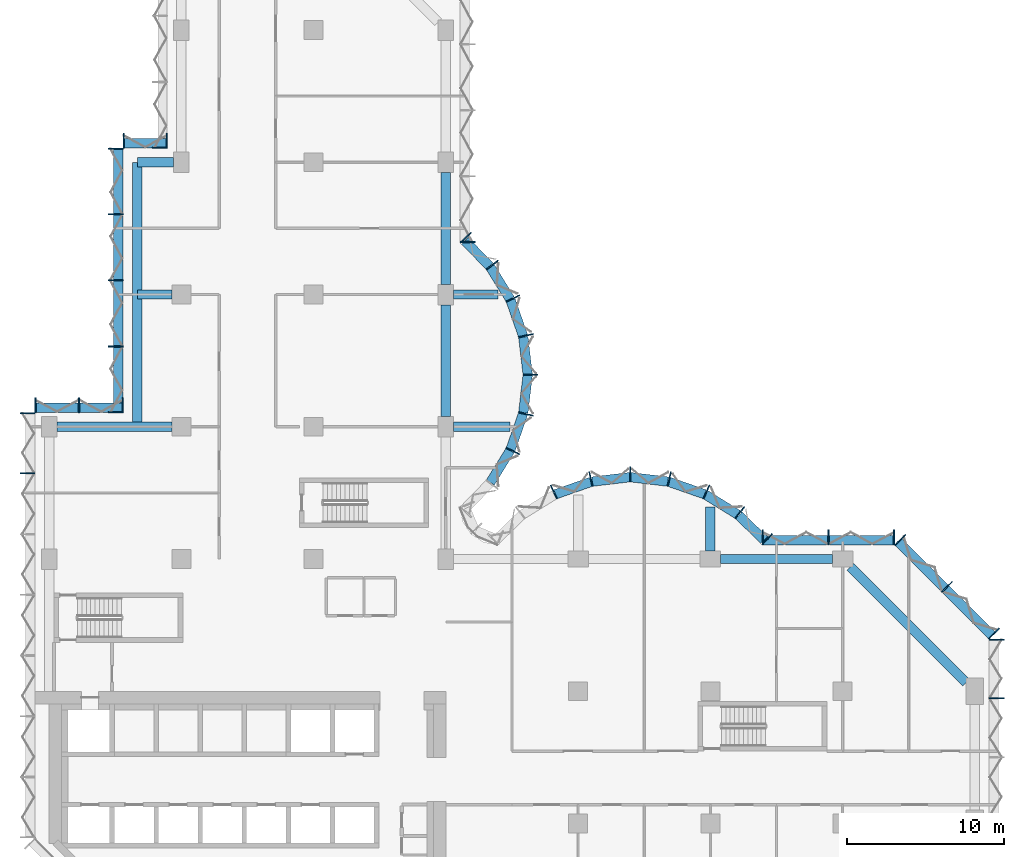
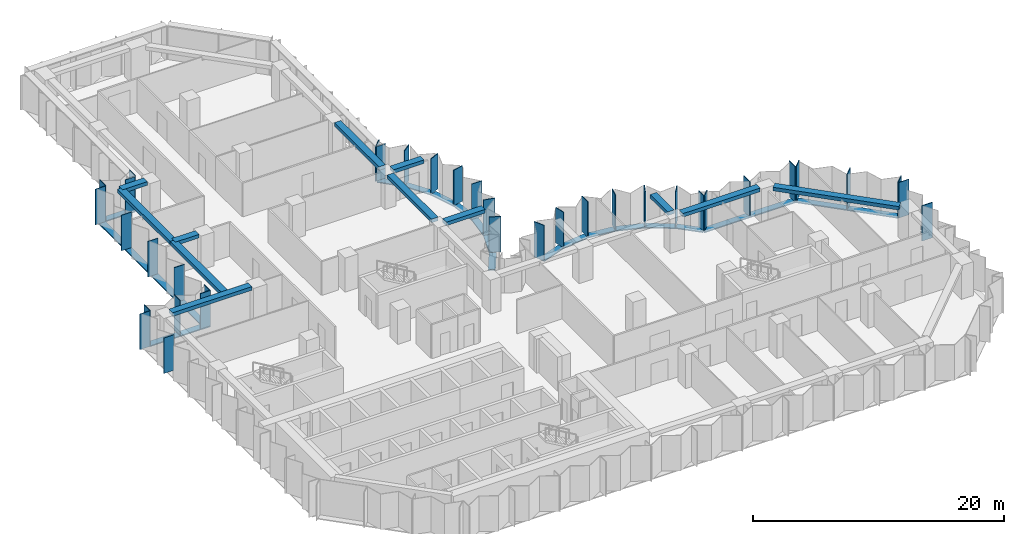
# One storey, part 2 of 11: 54 members, 12 beams, 11 elements without a shape of their own.
"""IFC4 building model written with IfcOpenShell, lengths in metres."""

from ifc_helpers import new_model, si_unit, direction, frame, origin, origin_2d, place, context, subcontext, project, spatial, rectangle, extrude, material, material_profile, profile_set, type_object, element, aggregate, save


model = new_model("IFC4")

# Units and contexts
model_context = context("Model", 3, precision=1e-05, world=origin(), true_north=direction((0.0, 1.0)))
body_context = subcontext(model_context, "Body", "Model", "MODEL_VIEW")
ifc_project = project(units=[si_unit("LENGTHUNIT", "METRE"), si_unit("AREAUNIT", "SQUARE_METRE"), si_unit("VOLUMEUNIT", "CUBIC_METRE"), si_unit("PLANEANGLEUNIT", "RADIAN"), si_unit("MASSUNIT", "GRAM", prefix="KILO")], contexts=[model_context])

# Site, building, storey
site_placement = place(None, origin())
site = spatial("IfcSite", under=ifc_project, at=site_placement, CompositionType="ELEMENT")
building_placement = place(site_placement, origin())
building = spatial("IfcBuilding", under=site, at=building_placement, Name="Brevane Broadcast Tower", CompositionType="ELEMENT")
storey_placement = place(building_placement, frame((0.0, 0.0, 152.89990234375)))
storey = spatial("IfcBuildingStorey", under=building, at=storey_placement, Name="L38", CompositionType="ELEMENT", Elevation=152.89990234375)

# Curtain wall, members
ifc_material_1 = material(Name="Aluminium 6063-T6 bronze anodised", Category="aluminium")
curtain_wall_type = type_object("IfcCurtainWallType", Name="CW-1 curtain wall", PredefinedType="NOTDEFINED", material=ifc_material_1)
curtain_wall_1_placement = place(storey_placement, origin())
curtain_wall_1 = element("IfcCurtainWall", 1, at=curtain_wall_1_placement, inside=storey, type_object=curtain_wall_type, Name="CW-1 typical tilted unit L38 east end", PredefinedType="NOTDEFINED")
ifc_material_profile_1 = material_profile(ifc_material_1, rectangle(XDim=0.949951171875, YDim=0.070068359375, at=origin_2d()), Name="RECT 70x950")
ifc_profile_set_1 = profile_set([ifc_material_profile_1], Name="Aluminium 6063-T6 bronze anodised")
member_type_1 = type_object("IfcMemberType", Name="CW-1 mullion 70x950", PredefinedType="MULLION", material=ifc_profile_set_1)
member_1_placement = place(storey_placement, frame((60.175048828125, 16.35009765625, -0.14990234375), z_axis=(0.0, 0.0, 1.0), x_axis=(-1.0, 0.0, 0.0)))
member_1 = element("IfcMember", 2, at=member_1_placement, type_object=member_type_1, Name="CW-1 mullion", PredefinedType="MULLION", context=body_context, shape_type="SweptSolid", body=[
    extrude(rectangle(XDim=0.949951171875, YDim=0.070068359375, at=origin_2d()), origin(), (0.0, 0.0, 1.0), 3.449951171875),
])
member_2_placement = place(storey_placement, frame((60.175048828125, 20.06494140625, -0.14990234375), z_axis=(0.0, 0.0, 1.0), x_axis=(-1.0, 0.0, 0.0)))
member_2 = element("IfcMember", 3, at=member_2_placement, type_object=member_type_1, Name="CW-1 mullion", PredefinedType="MULLION", context=body_context, shape_type="SweptSolid", body=[
    extrude(rectangle(XDim=0.949951171875, YDim=0.070068359375, at=origin_2d()), origin(), (0.0, 0.0, 1.0), 3.449951171875),
])
aggregate(curtain_wall_1, [member_1, member_2])

curtain_wall_2_placement = place(storey_placement, origin())
curtain_wall_2 = element("IfcCurtainWall", 4, at=curtain_wall_2_placement, inside=storey, type_object=curtain_wall_type, Name="CW-1 typical tilted unit L38 north-east chamfer", PredefinedType="NOTDEFINED")
member_3_placement = place(storey_placement, frame((60.01123046875, 20.460693359375, -0.14990234375), z_axis=(0.0, 0.0, 1.0), x_axis=(-0.707106781187, -0.707106781187, 0.0)))
member_3 = element("IfcMember", 5, at=member_3_placement, type_object=member_type_1, Name="CW-1 mullion", PredefinedType="MULLION", context=body_context, shape_type="SweptSolid", body=[
    extrude(rectangle(XDim=0.949951171875, YDim=0.070068359375, at=origin_2d()), origin(), (0.0, 0.0, 1.0), 3.449951171875),
])
member_4_placement = place(storey_placement, frame((57.035888671875, 23.435791015625, -0.14990234375), z_axis=(0.0, 0.0, 1.0), x_axis=(-0.707106781187, -0.707106781187, 0.0)))
member_4 = element("IfcMember", 6, at=member_4_placement, type_object=member_type_1, Name="CW-1 mullion", PredefinedType="MULLION", context=body_context, shape_type="SweptSolid", body=[
    extrude(rectangle(XDim=0.949951171875, YDim=0.070068359375, at=origin_2d()), origin(), (0.0, 0.0, 1.0), 3.449951171875),
])
member_5_placement = place(storey_placement, frame((54.060546875, 26.4111328125, -0.14990234375), z_axis=(0.0, 0.0, 1.0), x_axis=(-0.707106781187, -0.707106781187, 0.0)))
member_5 = element("IfcMember", 7, at=member_5_placement, type_object=member_type_1, Name="CW-1 mullion", PredefinedType="MULLION", context=body_context, shape_type="SweptSolid", body=[
    extrude(rectangle(XDim=0.949951171875, YDim=0.070068359375, at=origin_2d()), origin(), (0.0, 0.0, 1.0), 3.449951171875),
])

curtain_wall_3_placement = place(storey_placement, origin())
curtain_wall_3 = element("IfcCurtainWall", 8, at=curtain_wall_3_placement, inside=storey, type_object=curtain_wall_type, Name="CW-1 typical tilted unit L38 east arm north face", PredefinedType="NOTDEFINED")
member_6_placement = place(storey_placement, frame((53.6650390625, 26.574951171875, -0.14990234375), z_axis=(0.0, 0.0, 1.0), x_axis=(0.0, -1.0, 0.0)))
member_6 = element("IfcMember", 9, at=member_6_placement, type_object=member_type_1, Name="CW-1 mullion", PredefinedType="MULLION", context=body_context, shape_type="SweptSolid", body=[
    extrude(rectangle(XDim=0.949951171875, YDim=0.070068359375, at=origin_2d()), origin(), (0.0, 0.0, 1.0), 3.449951171875),
])
member_7_placement = place(storey_placement, frame((49.5, 26.574951171875, -0.14990234375), z_axis=(0.0, 0.0, 1.0), x_axis=(0.0, -1.0, 0.0)))
member_7 = element("IfcMember", 10, at=member_7_placement, type_object=member_type_1, Name="CW-1 mullion", PredefinedType="MULLION", context=body_context, shape_type="SweptSolid", body=[
    extrude(rectangle(XDim=0.949951171875, YDim=0.070068359375, at=origin_2d()), origin(), (0.0, 0.0, 1.0), 3.449951171875),
])
member_8_placement = place(storey_placement, frame((45.3349609375, 26.574951171875, -0.14990234375), z_axis=(0.0, 0.0, 1.0), x_axis=(0.0, -1.0, 0.0)))
member_8 = element("IfcMember", 11, at=member_8_placement, type_object=member_type_1, Name="CW-1 mullion", PredefinedType="MULLION", context=body_context, shape_type="SweptSolid", body=[
    extrude(rectangle(XDim=0.949951171875, YDim=0.070068359375, at=origin_2d()), origin(), (0.0, 0.0, 1.0), 3.449951171875),
])

curtain_wall_4_placement = place(storey_placement, origin())
curtain_wall_4 = element("IfcCurtainWall", 12, at=curtain_wall_4_placement, inside=storey, type_object=curtain_wall_type, Name="CW-1 typical tilted unit L38 east bow", PredefinedType="NOTDEFINED")
member_9_placement = place(storey_placement, frame((45.60595703125, 26.465087890625, -0.14990234375), z_axis=(0.0, 0.0, 1.0), x_axis=(-0.696811941702, -0.717253872699, 0.0)))
member_9 = element("IfcMember", 13, at=member_9_placement, type_object=member_type_1, Name="CW-1 mullion", PredefinedType="MULLION", context=body_context, shape_type="SweptSolid", body=[
    extrude(rectangle(XDim=0.949951171875, YDim=0.070068359375, at=origin_2d()), origin(), (0.0, 0.0, 1.0), 3.449951171875),
])
member_10_placement = place(storey_placement, frame((43.8720703125, 28.1455078125, -0.14990234375), z_axis=(0.0, 0.0, 1.0), x_axis=(-0.614769738617, -0.788706642853, 0.0)))
member_10 = element("IfcMember", 14, at=member_10_placement, type_object=member_type_1, Name="CW-1 mullion", PredefinedType="MULLION", context=body_context, shape_type="SweptSolid", body=[
    extrude(rectangle(XDim=0.949951171875, YDim=0.070068359375, at=origin_2d()), origin(), (0.0, 0.0, 1.0), 3.449951171875),
])
member_11_placement = place(storey_placement, frame((41.746826171875, 29.4580078125, -0.14990234375), z_axis=(0.0, 0.0, 1.0), x_axis=(-0.429933601163, -0.902860508933, 0.0)))
member_11 = element("IfcMember", 15, at=member_11_placement, type_object=member_type_1, Name="CW-1 mullion", PredefinedType="MULLION", context=body_context, shape_type="SweptSolid", body=[
    extrude(rectangle(XDim=0.949951171875, YDim=0.070068359375, at=origin_2d()), origin(), (0.0, 0.0, 1.0), 3.449951171875),
])
member_12_placement = place(storey_placement, frame((39.38818359375, 30.28076171875, -0.14990234375), z_axis=(0.0, 0.0, 1.0), x_axis=(-0.224806482215, -0.974403430594, 0.0)))
member_12 = element("IfcMember", 16, at=member_12_placement, type_object=member_type_1, Name="CW-1 mullion", PredefinedType="MULLION", context=body_context, shape_type="SweptSolid", body=[
    extrude(rectangle(XDim=0.949951171875, YDim=0.070068359375, at=origin_2d()), origin(), (0.0, 0.0, 1.0), 3.449951171875),
])
member_13_placement = place(storey_placement, frame((36.89990234375, 30.574951171875, -0.14990234375), z_axis=(0.0, 0.0, 1.0), x_axis=(0.0, -1.0, 0.0)))
member_13 = element("IfcMember", 17, at=member_13_placement, type_object=member_type_1, Name="CW-1 mullion", PredefinedType="MULLION", context=body_context, shape_type="SweptSolid", body=[
    extrude(rectangle(XDim=0.949951171875, YDim=0.070068359375, at=origin_2d()), origin(), (0.0, 0.0, 1.0), 3.449951171875),
])
member_14_placement = place(storey_placement, frame((34.411865234375, 30.28076171875, -0.14990234375), z_axis=(0.0, 0.0, 1.0), x_axis=(0.224806482215, -0.974403430594, 0.0)))
member_14 = element("IfcMember", 18, at=member_14_placement, type_object=member_type_1, Name="CW-1 mullion", PredefinedType="MULLION", context=body_context, shape_type="SweptSolid", body=[
    extrude(rectangle(XDim=0.949951171875, YDim=0.070068359375, at=origin_2d()), origin(), (0.0, 0.0, 1.0), 3.449951171875),
])
member_15_placement = place(storey_placement, frame((32.05322265625, 29.4580078125, -0.14990234375), z_axis=(0.0, 0.0, 1.0), x_axis=(0.429933601163, -0.902860508933, 0.0)))
member_15 = element("IfcMember", 19, at=member_15_placement, type_object=member_type_1, Name="CW-1 mullion", PredefinedType="MULLION", context=body_context, shape_type="SweptSolid", body=[
    extrude(rectangle(XDim=0.949951171875, YDim=0.070068359375, at=origin_2d()), origin(), (0.0, 0.0, 1.0), 3.449951171875),
])

curtain_wall_5_placement = place(storey_placement, origin())
curtain_wall_5 = element("IfcCurtainWall", 20, at=curtain_wall_5_placement, inside=storey, type_object=curtain_wall_type, Name="CW-1 typical tilted unit L38 north bow", PredefinedType="NOTDEFINED")
member_16_placement = place(storey_placement, frame((29.4580078125, 32.05322265625, -0.14990234375), z_axis=(0.0, 0.0, 1.0), x_axis=(-0.902860508933, 0.429933601163, 0.0)))
member_16 = element("IfcMember", 21, at=member_16_placement, type_object=member_type_1, Name="CW-1 mullion", PredefinedType="MULLION", context=body_context, shape_type="SweptSolid", body=[
    extrude(rectangle(XDim=0.949951171875, YDim=0.070068359375, at=origin_2d()), origin(), (0.0, 0.0, 1.0), 3.449951171875),
])
member_17_placement = place(storey_placement, frame((30.28076171875, 34.411865234375, -0.14990234375), z_axis=(0.0, 0.0, 1.0), x_axis=(-0.974403430594, 0.224806482215, 0.0)))
member_17 = element("IfcMember", 22, at=member_17_placement, type_object=member_type_1, Name="CW-1 mullion", PredefinedType="MULLION", context=body_context, shape_type="SweptSolid", body=[
    extrude(rectangle(XDim=0.949951171875, YDim=0.070068359375, at=origin_2d()), origin(), (0.0, 0.0, 1.0), 3.449951171875),
])
member_18_placement = place(storey_placement, frame((30.574951171875, 36.89990234375, -0.14990234375), z_axis=(0.0, 0.0, 1.0), x_axis=(-1.0, 0.0, 0.0)))
member_18 = element("IfcMember", 23, at=member_18_placement, type_object=member_type_1, Name="CW-1 mullion", PredefinedType="MULLION", context=body_context, shape_type="SweptSolid", body=[
    extrude(rectangle(XDim=0.949951171875, YDim=0.070068359375, at=origin_2d()), origin(), (0.0, 0.0, 1.0), 3.449951171875),
])
member_19_placement = place(storey_placement, frame((30.28076171875, 39.38818359375, -0.14990234375), z_axis=(0.0, 0.0, 1.0), x_axis=(-0.974403430594, -0.224806482215, 0.0)))
member_19 = element("IfcMember", 24, at=member_19_placement, type_object=member_type_1, Name="CW-1 mullion", PredefinedType="MULLION", context=body_context, shape_type="SweptSolid", body=[
    extrude(rectangle(XDim=0.949951171875, YDim=0.070068359375, at=origin_2d()), origin(), (0.0, 0.0, 1.0), 3.449951171875),
])
member_20_placement = place(storey_placement, frame((29.4580078125, 41.746826171875, -0.14990234375), z_axis=(0.0, 0.0, 1.0), x_axis=(-0.902860508933, -0.429933601163, 0.0)))
member_20 = element("IfcMember", 25, at=member_20_placement, type_object=member_type_1, Name="CW-1 mullion", PredefinedType="MULLION", context=body_context, shape_type="SweptSolid", body=[
    extrude(rectangle(XDim=0.949951171875, YDim=0.070068359375, at=origin_2d()), origin(), (0.0, 0.0, 1.0), 3.449951171875),
])
member_21_placement = place(storey_placement, frame((28.1455078125, 43.8720703125, -0.14990234375), z_axis=(0.0, 0.0, 1.0), x_axis=(-0.788706642853, -0.614769738617, 0.0)))
member_21 = element("IfcMember", 26, at=member_21_placement, type_object=member_type_1, Name="CW-1 mullion", PredefinedType="MULLION", context=body_context, shape_type="SweptSolid", body=[
    extrude(rectangle(XDim=0.949951171875, YDim=0.070068359375, at=origin_2d()), origin(), (0.0, 0.0, 1.0), 3.449951171875),
])
member_22_placement = place(storey_placement, frame((26.465087890625, 45.60595703125, -0.14990234375), z_axis=(0.0, 0.0, 1.0), x_axis=(-0.717253872699, -0.696811941702, 0.0)))
member_22 = element("IfcMember", 27, at=member_22_placement, type_object=member_type_1, Name="CW-1 mullion", PredefinedType="MULLION", context=body_context, shape_type="SweptSolid", body=[
    extrude(rectangle(XDim=0.949951171875, YDim=0.070068359375, at=origin_2d()), origin(), (0.0, 0.0, 1.0), 3.449951171875),
])

# Curtain wall, member
curtain_wall_6_placement = place(storey_placement, origin())
curtain_wall_6 = element("IfcCurtainWall", 28, at=curtain_wall_6_placement, inside=storey, type_object=curtain_wall_type, Name="CW-1 typical tilted unit L38 north arm east face", PredefinedType="NOTDEFINED")
member_23_placement = place(storey_placement, frame((26.574951171875, 45.3349609375, -0.14990234375), z_axis=(0.0, 0.0, 1.0), x_axis=(-1.0, 0.0, 0.0)))
member_23 = element("IfcMember", 29, at=member_23_placement, type_object=member_type_1, Name="CW-1 mullion", PredefinedType="MULLION", context=body_context, shape_type="SweptSolid", body=[
    extrude(rectangle(XDim=0.949951171875, YDim=0.070068359375, at=origin_2d()), origin(), (0.0, 0.0, 1.0), 3.35009765625),
])
aggregate(curtain_wall_6, [member_23])

curtain_wall_7_placement = place(storey_placement, origin())
curtain_wall_7 = element("IfcCurtainWall", 30, at=curtain_wall_7_placement, inside=storey, type_object=curtain_wall_type, Name="CW-1 typical tilted unit L38 north wing west face above the set-back", PredefinedType="NOTDEFINED")
member_24_placement = place(storey_placement, frame((7.02490234375, 51.3349609375, -0.14990234375), z_axis=(0.0, 0.0, 1.0), x_axis=(1.0, 0.0, 0.0)))
member_24 = element("IfcMember", 31, at=member_24_placement, type_object=member_type_1, Name="CW-1 mullion", PredefinedType="MULLION", context=body_context, shape_type="SweptSolid", body=[
    extrude(rectangle(XDim=0.949951171875, YDim=0.070068359375, at=origin_2d()), origin(), (0.0, 0.0, 1.0), 3.35009765625),
])
aggregate(curtain_wall_7, [member_24])

# Curtain wall, members
curtain_wall_8_placement = place(storey_placement, origin())
curtain_wall_8 = element("IfcCurtainWall", 32, at=curtain_wall_8_placement, inside=storey, type_object=curtain_wall_type, Name="CW-1 typical tilted unit L38 north wing west return", PredefinedType="NOTDEFINED")
member_25_placement = place(storey_placement, frame((7.465087890625, 51.77490234375, -0.14990234375), z_axis=(0.0, 0.0, 1.0), x_axis=(0.0, -1.0, 0.0)))
member_25 = element("IfcMember", 33, at=member_25_placement, type_object=member_type_1, Name="CW-1 mullion", PredefinedType="MULLION", context=body_context, shape_type="SweptSolid", body=[
    extrude(rectangle(XDim=0.949951171875, YDim=0.070068359375, at=origin_2d()), origin(), (0.0, 0.0, 1.0), 3.449951171875),
])
member_26_placement = place(storey_placement, frame((4.735107421875, 51.77490234375, -0.14990234375), z_axis=(0.0, 0.0, 1.0), x_axis=(0.0, -1.0, 0.0)))
member_26 = element("IfcMember", 34, at=member_26_placement, type_object=member_type_1, Name="CW-1 mullion", PredefinedType="MULLION", context=body_context, shape_type="SweptSolid", body=[
    extrude(rectangle(XDim=0.949951171875, YDim=0.070068359375, at=origin_2d()), origin(), (0.0, 0.0, 1.0), 3.449951171875),
])

curtain_wall_9_placement = place(storey_placement, origin())
curtain_wall_9 = element("IfcCurtainWall", 35, at=curtain_wall_9_placement, inside=storey, type_object=curtain_wall_type, Name="CW-1 typical tilted unit L38 north wing west face, lower block", PredefinedType="NOTDEFINED")
member_27_placement = place(storey_placement, frame((4.22509765625, 51.264892578125, -0.14990234375), z_axis=(0.0, 0.0, 1.0), x_axis=(1.0, 0.0, 0.0)))
member_27 = element("IfcMember", 36, at=member_27_placement, type_object=member_type_1, Name="CW-1 mullion", PredefinedType="MULLION", context=body_context, shape_type="SweptSolid", body=[
    extrude(rectangle(XDim=0.949951171875, YDim=0.070068359375, at=origin_2d()), origin(), (0.0, 0.0, 1.0), 3.449951171875),
])
member_28_placement = place(storey_placement, frame((4.22509765625, 47.10009765625, -0.14990234375), z_axis=(0.0, 0.0, 1.0), x_axis=(1.0, 0.0, 0.0)))
member_28 = element("IfcMember", 37, at=member_28_placement, type_object=member_type_1, Name="CW-1 mullion", PredefinedType="MULLION", context=body_context, shape_type="SweptSolid", body=[
    extrude(rectangle(XDim=0.949951171875, YDim=0.070068359375, at=origin_2d()), origin(), (0.0, 0.0, 1.0), 3.449951171875),
])
member_29_placement = place(storey_placement, frame((4.22509765625, 42.89990234375, -0.14990234375), z_axis=(0.0, 0.0, 1.0), x_axis=(1.0, 0.0, 0.0)))
member_29 = element("IfcMember", 38, at=member_29_placement, type_object=member_type_1, Name="CW-1 mullion", PredefinedType="MULLION", context=body_context, shape_type="SweptSolid", body=[
    extrude(rectangle(XDim=0.949951171875, YDim=0.070068359375, at=origin_2d()), origin(), (0.0, 0.0, 1.0), 3.449951171875),
])
member_30_placement = place(storey_placement, frame((4.22509765625, 38.699951171875, -0.14990234375), z_axis=(0.0, 0.0, 1.0), x_axis=(1.0, 0.0, 0.0)))
member_30 = element("IfcMember", 39, at=member_30_placement, type_object=member_type_1, Name="CW-1 mullion", PredefinedType="MULLION", context=body_context, shape_type="SweptSolid", body=[
    extrude(rectangle(XDim=0.949951171875, YDim=0.070068359375, at=origin_2d()), origin(), (0.0, 0.0, 1.0), 3.449951171875),
])
member_31_placement = place(storey_placement, frame((4.22509765625, 34.534912109375, -0.14990234375), z_axis=(0.0, 0.0, 1.0), x_axis=(1.0, 0.0, 0.0)))
member_31 = element("IfcMember", 40, at=member_31_placement, type_object=member_type_1, Name="CW-1 mullion", PredefinedType="MULLION", context=body_context, shape_type="SweptSolid", body=[
    extrude(rectangle(XDim=0.949951171875, YDim=0.070068359375, at=origin_2d()), origin(), (0.0, 0.0, 1.0), 3.449951171875),
])

curtain_wall_10_placement = place(storey_placement, origin())
curtain_wall_10 = element("IfcCurtainWall", 41, at=curtain_wall_10_placement, inside=storey, type_object=curtain_wall_type, Name="CW-1 typical tilted unit L38 north wing west return, lower block", PredefinedType="NOTDEFINED")
member_32_placement = place(storey_placement, frame((4.6650390625, 34.97509765625, -0.14990234375), z_axis=(0.0, 0.0, 1.0), x_axis=(0.0, -1.0, 0.0)))
member_32 = element("IfcMember", 42, at=member_32_placement, type_object=member_type_1, Name="CW-1 mullion", PredefinedType="MULLION", context=body_context, shape_type="SweptSolid", body=[
    extrude(rectangle(XDim=0.949951171875, YDim=0.070068359375, at=origin_2d()), origin(), (0.0, 0.0, 1.0), 3.449951171875),
])
member_33_placement = place(storey_placement, frame((1.89990234375, 34.97509765625, -0.14990234375), z_axis=(0.0, 0.0, 1.0), x_axis=(0.0, -1.0, 0.0)))
member_33 = element("IfcMember", 43, at=member_33_placement, type_object=member_type_1, Name="CW-1 mullion", PredefinedType="MULLION", context=body_context, shape_type="SweptSolid", body=[
    extrude(rectangle(XDim=0.949951171875, YDim=0.070068359375, at=origin_2d()), origin(), (0.0, 0.0, 1.0), 3.449951171875),
])
member_34_placement = place(storey_placement, frame((-0.864990234375, 34.97509765625, -0.14990234375), z_axis=(0.0, 0.0, 1.0), x_axis=(0.0, -1.0, 0.0)))
member_34 = element("IfcMember", 44, at=member_34_placement, type_object=member_type_1, Name="CW-1 mullion", PredefinedType="MULLION", context=body_context, shape_type="SweptSolid", body=[
    extrude(rectangle(XDim=0.949951171875, YDim=0.070068359375, at=origin_2d()), origin(), (0.0, 0.0, 1.0), 3.449951171875),
])

curtain_wall_11_placement = place(storey_placement, origin())
curtain_wall_11 = element("IfcCurtainWall", 45, at=curtain_wall_11_placement, inside=storey, type_object=curtain_wall_type, Name="CW-1 typical tilted unit L38 west face", PredefinedType="NOTDEFINED")
member_35_placement = place(storey_placement, frame((-1.375, 34.465087890625, -0.14990234375), z_axis=(0.0, 0.0, 1.0), x_axis=(1.0, 0.0, 0.0)))
member_35 = element("IfcMember", 46, at=member_35_placement, type_object=member_type_1, Name="CW-1 mullion", PredefinedType="MULLION", context=body_context, shape_type="SweptSolid", body=[
    extrude(rectangle(XDim=0.949951171875, YDim=0.070068359375, at=origin_2d()), origin(), (0.0, 0.0, 1.0), 3.449951171875),
])
member_36_placement = place(storey_placement, frame((-1.375, 30.642822265625, -0.14990234375), z_axis=(0.0, 0.0, 1.0), x_axis=(1.0, 0.0, 0.0)))
member_36 = element("IfcMember", 47, at=member_36_placement, type_object=member_type_1, Name="CW-1 mullion", PredefinedType="MULLION", context=body_context, shape_type="SweptSolid", body=[
    extrude(rectangle(XDim=0.949951171875, YDim=0.070068359375, at=origin_2d()), origin(), (0.0, 0.0, 1.0), 3.449951171875),
])
aggregate(curtain_wall_11, [member_35, member_36])

# Member
ifc_material_profile_2 = material_profile(ifc_material_1, rectangle(XDim=0.60009765625, YDim=0.10009765625, at=origin_2d()), Name="RECT 100x600")
ifc_profile_set_2 = profile_set([ifc_material_profile_2], Name="Aluminium 6063-T6 bronze anodised")
member_type_2 = type_object("IfcMemberType", Name="CW-1 transom 100x600", PredefinedType="USERDEFINED", material=ifc_profile_set_2)
member_37_placement = place(storey_placement, frame((59.912109375, 20.31201171875, -0.199951171875), z_axis=(-0.707106781187, 0.707106781187, 0.0), x_axis=(-0.707106781187, -0.707106781187, 0.0)))
member_37 = element("IfcMember", 48, at=member_37_placement, type_object=member_type_2, Name="CW-1 transom", ObjectType="TRANSOM", PredefinedType="USERDEFINED", context=body_context, shape_type="SweptSolid", body=[
    extrude(rectangle(XDim=0.60009765625, YDim=0.10009765625, at=origin_2d()), origin(), (0.0, 0.0, 1.0), 8.4853515625),
])

aggregate(curtain_wall_2, [member_3, member_4, member_5, member_37])

member_38_placement = place(storey_placement, frame((53.699951171875, 26.39990234375, -0.199951171875), z_axis=(-1.0, 0.0, 0.0), x_axis=(0.0, -1.0, 0.0)))
member_38 = element("IfcMember", 49, at=member_38_placement, type_object=member_type_2, Name="CW-1 transom", ObjectType="TRANSOM", PredefinedType="USERDEFINED", context=body_context, shape_type="SweptSolid", body=[
    extrude(rectangle(XDim=0.60009765625, YDim=0.10009765625, at=origin_2d()), origin(), (0.0, 0.0, 1.0), 8.39990234375),
])

aggregate(curtain_wall_3, [member_6, member_7, member_8, member_38])

member_39_placement = place(storey_placement, frame((45.412841796875, 26.407958984375, -0.199951171875), z_axis=(-0.71724215871, 0.696823999134, 0.0), x_axis=(-0.696823999134, -0.71724215871, 0.0)))
member_39 = element("IfcMember", 50, at=member_39_placement, type_object=member_type_2, Name="CW-1 transom", ObjectType="TRANSOM", PredefinedType="USERDEFINED", context=body_context, shape_type="SweptSolid", body=[
    extrude(rectangle(XDim=0.60009765625, YDim=0.10009765625, at=origin_2d()), origin(), (0.0, 0.0, 1.0), 2.247802734375),
])

member_40_placement = place(storey_placement, frame((43.7421875, 28.023193359375, -0.199951171875), z_axis=(-0.850810063131, 0.525473345162, 0.0), x_axis=(-0.525473345162, -0.850810063131, 0.0)))
member_40 = element("IfcMember", 51, at=member_40_placement, type_object=member_type_2, Name="CW-1 transom", ObjectType="TRANSOM", PredefinedType="USERDEFINED", context=body_context, shape_type="SweptSolid", body=[
    extrude(rectangle(XDim=0.60009765625, YDim=0.10009765625, at=origin_2d()), origin(), (0.0, 0.0, 1.0), 2.39453125),
])

member_41_placement = place(storey_placement, frame((41.63623046875, 29.314208984375, -0.199951171875), z_axis=(-0.944197969542, 0.329378497041, 0.0), x_axis=(-0.329378497041, -0.944197969542, 0.0)))
member_41 = element("IfcMember", 52, at=member_41_placement, type_object=member_type_2, Name="CW-1 transom", ObjectType="TRANSOM", PredefinedType="USERDEFINED", context=body_context, shape_type="SweptSolid", body=[
    extrude(rectangle(XDim=0.60009765625, YDim=0.10009765625, at=origin_2d()), origin(), (0.0, 0.0, 1.0), 2.394775390625),
])

member_42_placement = place(storey_placement, frame((39.30029296875, 30.117431640625, -0.199951171875), z_axis=(-0.993062061831, 0.117591417, 0.0), x_axis=(-0.117591417, -0.993062061831, 0.0)))
member_42 = element("IfcMember", 53, at=member_42_placement, type_object=member_type_2, Name="CW-1 transom", ObjectType="TRANSOM", PredefinedType="USERDEFINED", context=body_context, shape_type="SweptSolid", body=[
    extrude(rectangle(XDim=0.60009765625, YDim=0.10009765625, at=origin_2d()), origin(), (0.0, 0.0, 1.0), 2.39794921875),
])

member_43_placement = place(storey_placement, frame((36.880859375, 30.3994140625, -0.199951171875), z_axis=(-0.993060653805, -0.117603307202, 0.0), x_axis=(0.117603307202, -0.993060653805, 0.0)))
member_43 = element("IfcMember", 54, at=member_43_placement, type_object=member_type_2, Name="CW-1 transom", ObjectType="TRANSOM", PredefinedType="USERDEFINED", context=body_context, shape_type="SweptSolid", body=[
    extrude(rectangle(XDim=0.60009765625, YDim=0.10009765625, at=origin_2d()), origin(), (0.0, 0.0, 1.0), 2.397705078125),
])

member_44_placement = place(storey_placement, frame((34.425048828125, 30.10302734375, -0.199951171875), z_axis=(-0.944197969542, -0.329378497041, 0.0), x_axis=(0.329378497041, -0.944197969542, 0.0)))
member_44 = element("IfcMember", 55, at=member_44_placement, type_object=member_type_2, Name="CW-1 transom", ObjectType="TRANSOM", PredefinedType="USERDEFINED", context=body_context, shape_type="SweptSolid", body=[
    extrude(rectangle(XDim=0.60009765625, YDim=0.10009765625, at=origin_2d()), origin(), (0.0, 0.0, 1.0), 2.394775390625),
])

aggregate(curtain_wall_4, [member_9, member_10, member_11, member_12, member_13, member_14, member_15, member_39, member_40, member_41, member_42, member_43, member_44])

member_45_placement = place(storey_placement, frame((28.023193359375, 30.0576171875, -0.199951171875), z_axis=(0.525427766759, 0.850838211365, 0.0), x_axis=(-0.850838211365, 0.525427766759, 0.0)))
member_45 = element("IfcMember", 56, at=member_45_placement, type_object=member_type_2, Name="CW-1 transom", ObjectType="TRANSOM", PredefinedType="USERDEFINED", context=body_context, shape_type="SweptSolid", body=[
    extrude(rectangle(XDim=0.60009765625, YDim=0.10009765625, at=origin_2d()), origin(), (0.0, 0.0, 1.0), 2.394775390625),
])

member_46_placement = place(storey_placement, frame((29.314208984375, 32.163818359375, -0.199951171875), z_axis=(0.329378497041, 0.944197969542, 0.0), x_axis=(-0.944197969542, 0.329378497041, 0.0)))
member_46 = element("IfcMember", 57, at=member_46_placement, type_object=member_type_2, Name="CW-1 transom", ObjectType="TRANSOM", PredefinedType="USERDEFINED", context=body_context, shape_type="SweptSolid", body=[
    extrude(rectangle(XDim=0.60009765625, YDim=0.10009765625, at=origin_2d()), origin(), (0.0, 0.0, 1.0), 2.394775390625),
])

member_47_placement = place(storey_placement, frame((30.117431640625, 34.499755859375, -0.199951171875), z_axis=(0.117603307202, 0.993060653805, 0.0), x_axis=(-0.993060653805, 0.117603307202, 0.0)))
member_47 = element("IfcMember", 58, at=member_47_placement, type_object=member_type_2, Name="CW-1 transom", ObjectType="TRANSOM", PredefinedType="USERDEFINED", context=body_context, shape_type="SweptSolid", body=[
    extrude(rectangle(XDim=0.60009765625, YDim=0.10009765625, at=origin_2d()), origin(), (0.0, 0.0, 1.0), 2.397705078125),
])

member_48_placement = place(storey_placement, frame((30.3994140625, 36.9189453125, -0.199951171875), z_axis=(-0.117591417, 0.993062061831, 0.0), x_axis=(-0.993062061831, -0.117591417, 0.0)))
member_48 = element("IfcMember", 59, at=member_48_placement, type_object=member_type_2, Name="CW-1 transom", ObjectType="TRANSOM", PredefinedType="USERDEFINED", context=body_context, shape_type="SweptSolid", body=[
    extrude(rectangle(XDim=0.60009765625, YDim=0.10009765625, at=origin_2d()), origin(), (0.0, 0.0, 1.0), 2.39794921875),
])

member_49_placement = place(storey_placement, frame((30.10302734375, 39.375, -0.199951171875), z_axis=(-0.329378497041, 0.944197969542, 0.0), x_axis=(-0.944197969542, -0.329378497041, 0.0)))
member_49 = element("IfcMember", 60, at=member_49_placement, type_object=member_type_2, Name="CW-1 transom", ObjectType="TRANSOM", PredefinedType="USERDEFINED", context=body_context, shape_type="SweptSolid", body=[
    extrude(rectangle(XDim=0.60009765625, YDim=0.10009765625, at=origin_2d()), origin(), (0.0, 0.0, 1.0), 2.394775390625),
])

member_50_placement = place(storey_placement, frame((29.281494140625, 41.704833984375, -0.199951171875), z_axis=(-0.525473345162, 0.850810063131, 0.0), x_axis=(-0.850810063131, -0.525473345162, 0.0)))
member_50 = element("IfcMember", 61, at=member_50_placement, type_object=member_type_2, Name="CW-1 transom", ObjectType="TRANSOM", PredefinedType="USERDEFINED", context=body_context, shape_type="SweptSolid", body=[
    extrude(rectangle(XDim=0.60009765625, YDim=0.10009765625, at=origin_2d()), origin(), (0.0, 0.0, 1.0), 2.39453125),
])

member_51_placement = place(storey_placement, frame((27.974365234375, 43.800537109375, -0.199951171875), z_axis=(-0.696823999134, 0.71724215871, 0.0), x_axis=(-0.71724215871, -0.696823999134, 0.0)))
member_51 = element("IfcMember", 62, at=member_51_placement, type_object=member_type_2, Name="CW-1 transom", ObjectType="TRANSOM", PredefinedType="USERDEFINED", context=body_context, shape_type="SweptSolid", body=[
    extrude(rectangle(XDim=0.60009765625, YDim=0.10009765625, at=origin_2d()), origin(), (0.0, 0.0, 1.0), 2.247802734375),
])

aggregate(curtain_wall_5, [member_16, member_17, member_18, member_19, member_20, member_21, member_22, member_45, member_46, member_47, member_48, member_49, member_50, member_51])

member_52_placement = place(storey_placement, frame((7.5, 51.60009765625, -0.199951171875), z_axis=(-1.0, 0.0, 0.0), x_axis=(0.0, -1.0, 0.0)))
member_52 = element("IfcMember", 63, at=member_52_placement, type_object=member_type_2, Name="CW-1 transom", ObjectType="TRANSOM", PredefinedType="USERDEFINED", context=body_context, shape_type="SweptSolid", body=[
    extrude(rectangle(XDim=0.60009765625, YDim=0.10009765625, at=origin_2d()), origin(), (0.0, 0.0, 1.0), 2.800048828125),
])

aggregate(curtain_wall_8, [member_25, member_26, member_52])

member_53_placement = place(storey_placement, frame((4.39990234375, 51.300048828125, -0.199951171875), z_axis=(0.0, -1.0, 0.0), x_axis=(1.0, 0.0, 0.0)))
member_53 = element("IfcMember", 64, at=member_53_placement, type_object=member_type_2, Name="CW-1 transom", ObjectType="TRANSOM", PredefinedType="USERDEFINED", context=body_context, shape_type="SweptSolid", body=[
    extrude(rectangle(XDim=0.60009765625, YDim=0.10009765625, at=origin_2d()), origin(), (0.0, 0.0, 1.0), 16.800048828125),
])

aggregate(curtain_wall_9, [member_27, member_28, member_29, member_30, member_31, member_53])

member_54_placement = place(storey_placement, frame((4.699951171875, 34.800048828125, -0.199951171875), z_axis=(-1.0, 0.0, 0.0), x_axis=(0.0, -1.0, 0.0)))
member_54 = element("IfcMember", 65, at=member_54_placement, type_object=member_type_2, Name="CW-1 transom", ObjectType="TRANSOM", PredefinedType="USERDEFINED", context=body_context, shape_type="SweptSolid", body=[
    extrude(rectangle(XDim=0.60009765625, YDim=0.10009765625, at=origin_2d()), origin(), (0.0, 0.0, 1.0), 5.599853515625),
])

aggregate(curtain_wall_10, [member_32, member_33, member_34, member_54])

# Beams
ifc_material_2 = material(Name="Concrete C40/50", Category="concrete")
ifc_material_profile_3 = material_profile(ifc_material_2, rectangle(XDim=0.60009765625, YDim=0.35009765625, at=origin_2d()), Name="RC 600x350")
ifc_profile_set_3 = profile_set([ifc_material_profile_3], Name="Concrete C40/50")
beam_type_1 = type_object("IfcBeamType", Name="RC BRACKET BEAM 600x350 C40/50", PredefinedType="BEAM", material=ifc_profile_set_3)
beam_1_placement = place(storey_placement, frame((25.699951171875, 33.60009765625, 3.125), z_axis=(1.0, 0.0, 0.0), x_axis=(0.0, 1.0, 0.0)))
element("IfcBeam", 66, at=beam_1_placement, inside=storey, type_object=beam_type_1, Name="EB2 L38-1", PredefinedType="BEAM", context=body_context, shape_type="SweptSolid", body=[
    extrude(rectangle(XDim=0.60009765625, YDim=0.35009765625, at=origin_2d()), origin(), (0.0, 0.0, 1.0), 3.56201171875),
])
for number, where, z_axis, x_axis, name in (
    (67, (25.699951171875, 42.0, 3.125), (1.0, 0.0, 0.0), (0.0, 1.0, 0.0), "EB2 L38-2"),
    (68, (42.0, 25.699951171875, 3.125), (0.0, 1.0, 0.0), (-1.0, 0.0, 0.0), "EB2 L38-4"),
):
    element("IfcBeam", number, at=place(storey_placement, frame(where, z_axis=z_axis, x_axis=x_axis)), inside=storey, type_object=beam_type_1, Name=name, PredefinedType="BEAM", context=body_context, shape_type="SweptSolid", body=[
        extrude(rectangle(XDim=0.60009765625, YDim=0.35009765625, at=origin_2d()), origin(), (0.0, 0.0, 1.0), 2.8115234375),
    ])
beam_2_placement = place(storey_placement, frame((7.800048828125, 42.0, 3.125), z_axis=(-1.0, 0.0, 0.0), x_axis=(0.0, -1.0, 0.0)))
element("IfcBeam", 69, at=beam_2_placement, inside=storey, type_object=beam_type_1, Name="EB2 L38-5", PredefinedType="BEAM", context=body_context, shape_type="SweptSolid", body=[
    extrude(rectangle(XDim=0.60009765625, YDim=0.35009765625, at=origin_2d()), origin(), (0.0, 0.0, 1.0), 2.199951171875),
])
ifc_material_profile_4 = material_profile(ifc_material_2, rectangle(XDim=0.60009765625, YDim=0.35009765625, at=origin_2d()), Name="RC 600x350")
ifc_profile_set_4 = profile_set([ifc_material_profile_4], Name="Concrete C40/50")
beam_type_2 = type_object("IfcBeamType", Name="RC SPANDREL BEAM 600x350 C40/50", PredefinedType="SPANDREL", material=ifc_profile_set_4)
beam_3_placement = place(storey_placement, frame((58.25, 17.35009765625, 3.125), z_axis=(-0.707118524903, 0.707095037275, 0.0), x_axis=(-0.707095037275, -0.707118524903, 0.0)))
element("IfcBeam", 70, at=beam_3_placement, inside=storey, type_object=beam_type_2, Name="EB1 L38-6", PredefinedType="SPANDREL", context=body_context, shape_type="SweptSolid", body=[
    extrude(rectangle(XDim=0.60009765625, YDim=0.35009765625, at=origin_2d()), origin(), (0.0, 0.0, 1.0), 10.39453125),
])
for number, where, z_axis, x_axis, name in (
    (71, (49.75, 25.199951171875, 3.125), (-1.0, 0.0, 0.0), (0.0, -1.0, 0.0), "EB1 L38-7"),
    (72, (25.199951171875, 34.25, 3.125), (0.0, 1.0, 0.0), (-1.0, 0.0, 0.0), "EB1 L38-11"),
    (73, (25.199951171875, 42.64990234375, 3.125), (0.0, 1.0, 0.0), (-1.0, 0.0, 0.0), "EB1 L38-12"),
):
    element("IfcBeam", number, at=place(storey_placement, frame(where, z_axis=z_axis, x_axis=x_axis)), inside=storey, type_object=beam_type_2, Name=name, PredefinedType="SPANDREL", context=body_context, shape_type="SweptSolid", body=[
        extrude(rectangle(XDim=0.60009765625, YDim=0.35009765625, at=origin_2d()), origin(), (0.0, 0.0, 1.0), 7.10009765625),
    ])
beam_4_placement = place(storey_placement, frame((0.5, 33.60009765625, 3.125), z_axis=(1.0, 0.0, 0.0), x_axis=(0.0, 1.0, 0.0)))
element("IfcBeam", 74, at=beam_4_placement, inside=storey, type_object=beam_type_2, Name="EB1 L38-18", PredefinedType="SPANDREL", context=body_context, shape_type="SweptSolid", body=[
    extrude(rectangle(XDim=0.60009765625, YDim=0.35009765625, at=origin_2d()), origin(), (0.0, 0.0, 1.0), 7.300048828125),
])
for number, where, z_axis, x_axis, name in (
    (75, (5.60009765625, 33.60009765625, 3.125), (0.0, 1.0, 0.0), (-1.0, 0.0, 0.0), "EB1 L38-19"),
    (76, (5.60009765625, 42.0, 3.125), (0.0, 1.0, 0.0), (-1.0, 0.0, 0.0), "EB1 L38-20"),
):
    element("IfcBeam", number, at=place(storey_placement, frame(where, z_axis=z_axis, x_axis=x_axis)), inside=storey, type_object=beam_type_2, Name=name, PredefinedType="SPANDREL", context=body_context, shape_type="SweptSolid", body=[
        extrude(rectangle(XDim=0.60009765625, YDim=0.35009765625, at=origin_2d()), origin(), (0.0, 0.0, 1.0), 8.39990234375),
    ])
beam_5_placement = place(storey_placement, frame((5.60009765625, 50.39990234375, 3.125), z_axis=(1.0, 0.0, 0.0), x_axis=(0.0, 1.0, 0.0)))
element("IfcBeam", 77, at=beam_5_placement, inside=storey, type_object=beam_type_2, Name="EB1 L38-21", PredefinedType="SPANDREL", context=body_context, shape_type="SweptSolid", body=[
    extrude(rectangle(XDim=0.60009765625, YDim=0.35009765625, at=origin_2d()), origin(), (0.0, 0.0, 1.0), 2.2998046875),
])

save(model, "model.ifc")
